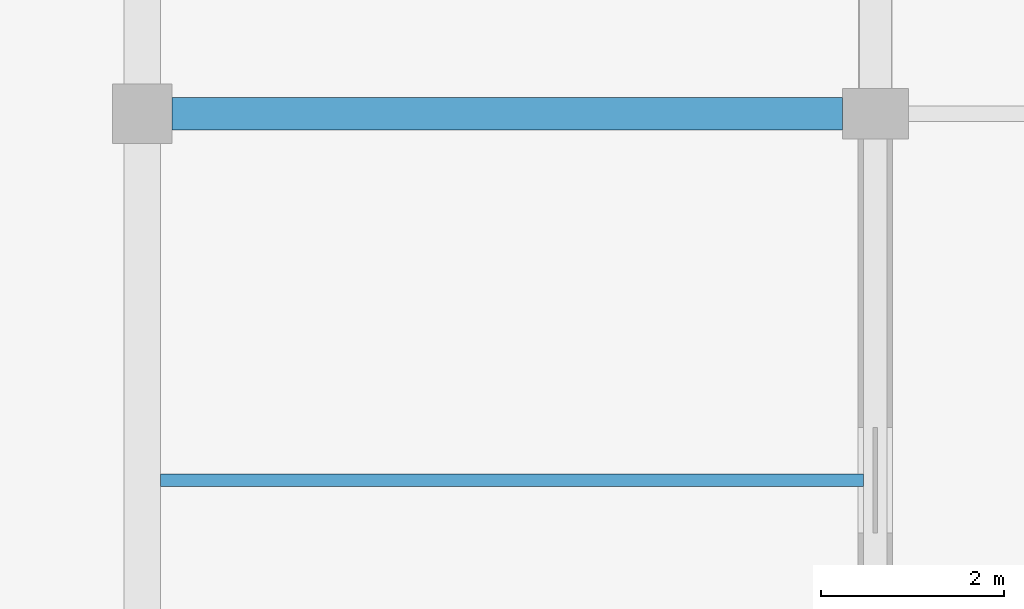
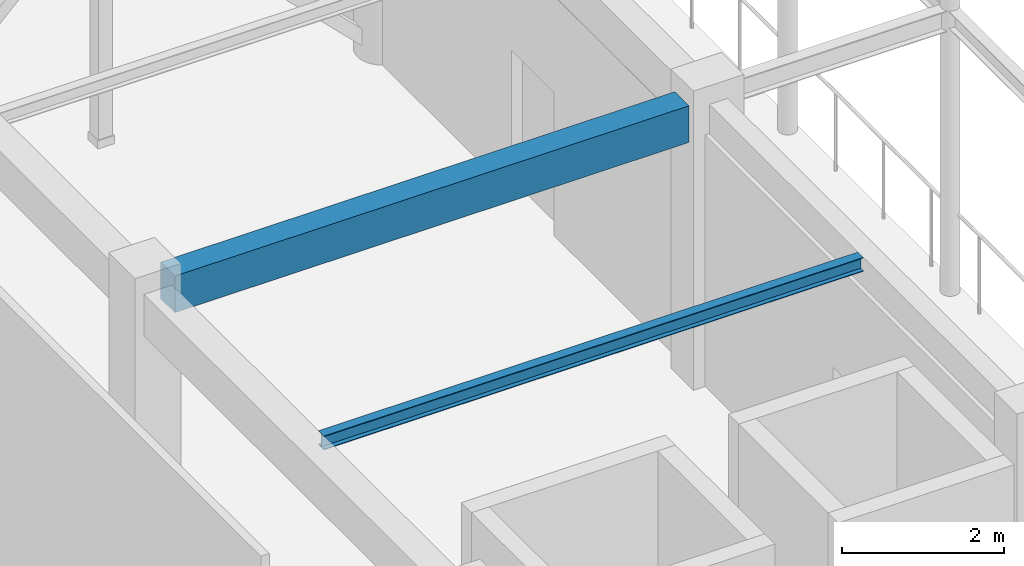
# One storey, part 55 of 160: 2 beams.
"""IFC4 building model written with IfcOpenShell, lengths in metres."""

from ifc_helpers import new_model, si_unit, direction, frame, origin, origin_2d, place, context, subcontext, project, spatial, rectangle, i_section, extrude, material, material_profile, profile_set, type_object, element, save


model = new_model("IFC4")

# Units and contexts
model_context = context("Model", 3, precision=1e-05, world=origin(), true_north=direction((0.0, 1.0)))
body_context = subcontext(model_context, "Body", "Model", "MODEL_VIEW")
ifc_project = project(units=[si_unit("LENGTHUNIT", "METRE"), si_unit("AREAUNIT", "SQUARE_METRE"), si_unit("VOLUMEUNIT", "CUBIC_METRE"), si_unit("PLANEANGLEUNIT", "RADIAN"), si_unit("MASSUNIT", "GRAM", prefix="KILO")], contexts=[model_context])

# Site, building, storey
site_placement = place(None, origin())
site = spatial("IfcSite", under=ifc_project, at=site_placement, CompositionType="ELEMENT")
building_placement = place(site_placement, origin())
building = spatial("IfcBuilding", under=site, at=building_placement, Name="Kharva Crest Polytechnic", CompositionType="ELEMENT")
storey_placement = place(building_placement, frame((0.0, 0.0, 4.5)))
storey = spatial("IfcBuildingStorey", under=building, at=storey_placement, Name="L01", CompositionType="ELEMENT", Elevation=4.5)

# Beams
ifc_material_1 = material(Name="Concrete C35/45", Category="concrete")
ifc_material_profile_1 = material_profile(ifc_material_1, rectangle(XDim=0.35009765625, YDim=0.550048828125, at=origin_2d()), Name="RECT 350 X 550")
ifc_profile_set_1 = profile_set([ifc_material_profile_1], Name="Concrete C35/45")
beam_type_1 = type_object("IfcBeamType", Name="BM-RC-350X550", PredefinedType="BEAM", material=ifc_profile_set_1)
beam_1_placement = place(storey_placement, frame((40.324951171875, 54.800048828125, 3.945068359375), z_axis=(1.0, 0.0, 0.0), x_axis=(0.0, 1.0, 0.0)))
element("IfcBeam", 1, at=beam_1_placement, inside=storey, type_object=beam_type_1, Name="L01 Beam H/6-7", PredefinedType="BEAM", context=body_context, shape_type="SweptSolid", body=[
    extrude(rectangle(XDim=0.35009765625, YDim=0.550048828125, at=origin_2d()), origin(), (0.0, 0.0, 1.0), 7.31494140625),
])
ifc_material_2 = material(Name="Steel S355", Category="steel")
ifc_material_profile_2 = material_profile(ifc_material_2, i_section(OverallWidth=0.134033203125, OverallDepth=0.2099609375, WebThickness=0.00634765625, FlangeThickness=0.01025390625, at=origin_2d()), Name="W200X31.3")
ifc_profile_set_2 = profile_set([ifc_material_profile_2], Name="Steel S355")
beam_type_2 = type_object("IfcBeamType", Name="BM-STL-W200X31", PredefinedType="JOIST", material=ifc_profile_set_2)
beam_2_placement = place(storey_placement, frame((40.199951171875, 50.800048828125, 4.114990234375), z_axis=(1.0, 0.0, 0.0), x_axis=(0.0, 1.0, 0.0)))
element("IfcBeam", 2, at=beam_2_placement, inside=storey, type_object=beam_type_2, Name="L01 Floor Joist 1", PredefinedType="JOIST", context=body_context, shape_type="SweptSolid", body=[
    extrude(i_section(OverallWidth=0.134033203125, OverallDepth=0.2099609375, WebThickness=0.00634765625, FlangeThickness=0.01025390625, at=origin_2d()), origin(), (0.0, 0.0, 1.0), 7.670166015625),
])

save(model, "model.ifc")
